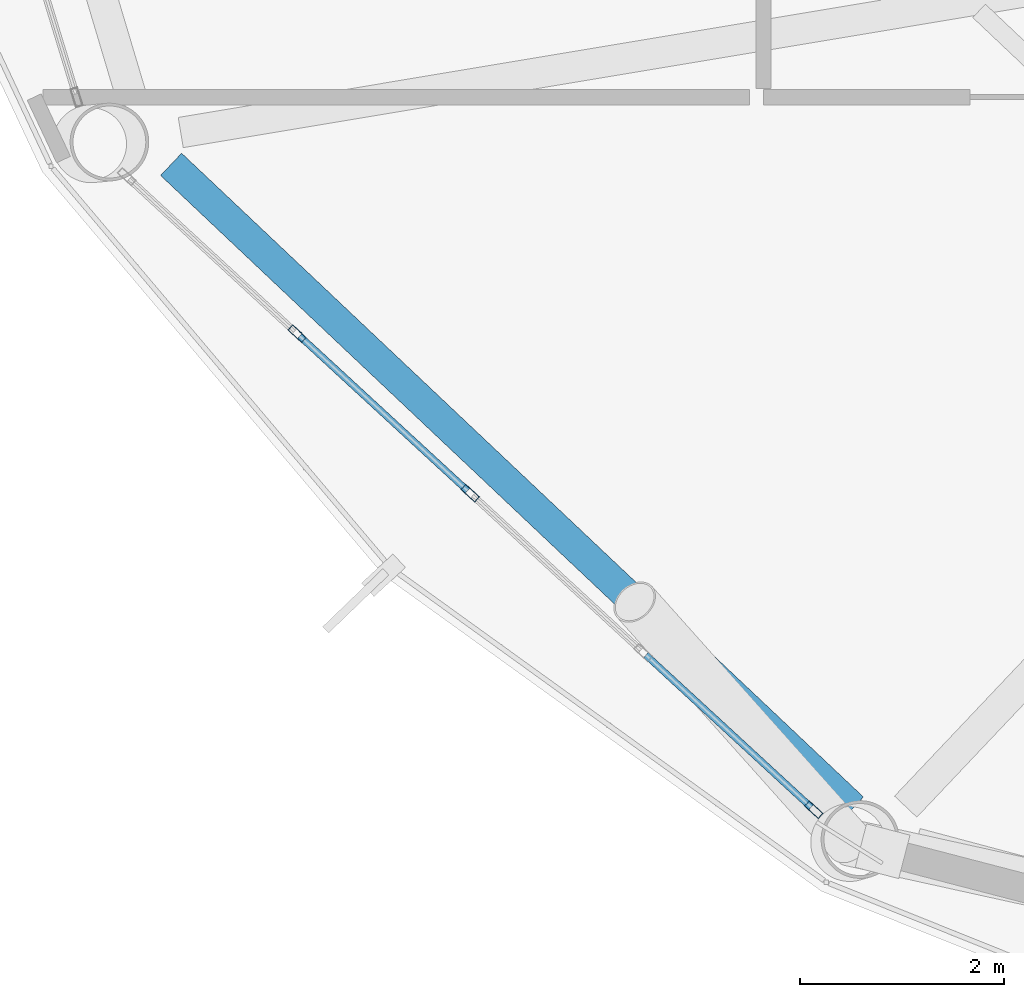
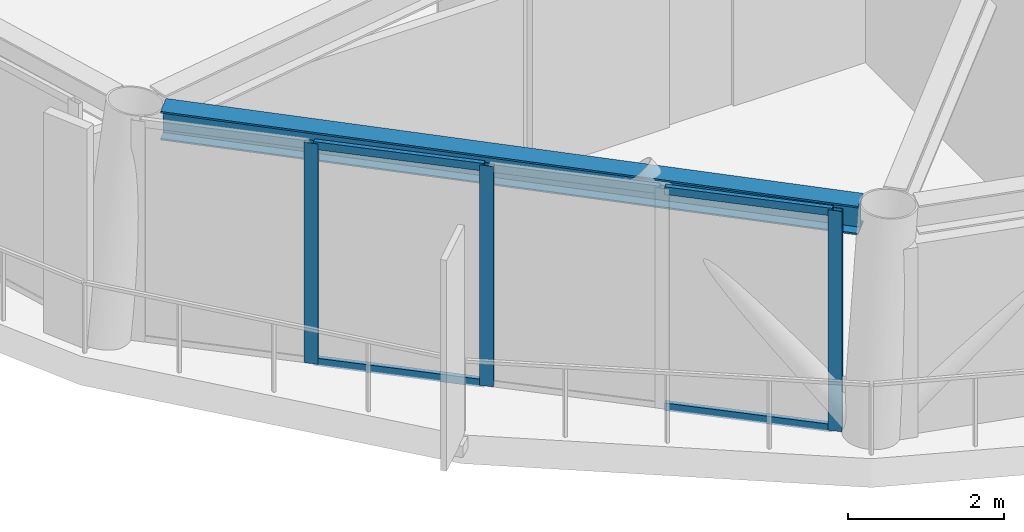
# One storey, part 2 of 26: 7 members, 1 beam, 1 element without a shape of its own.
"""IFC4 building model written with IfcOpenShell, lengths in metres."""

from ifc_helpers import new_model, si_unit, direction, frame, origin, origin_2d, place, context, subcontext, project, spatial, hollow_rectangle, i_section, extrude, material, layer, layer_set, material_profile, profile_set, type_object, element, aggregate, save


model = new_model("IFC4")

# Units and contexts
model_context = context("Model", 3, precision=1e-05, world=origin(), true_north=direction((0.0, 1.0)))
body_context = subcontext(model_context, "Body", "Model", "MODEL_VIEW")
ifc_project = project(units=[si_unit("LENGTHUNIT", "METRE"), si_unit("AREAUNIT", "SQUARE_METRE"), si_unit("VOLUMEUNIT", "CUBIC_METRE"), si_unit("PLANEANGLEUNIT", "RADIAN"), si_unit("MASSUNIT", "GRAM", prefix="KILO")], contexts=[model_context])

# Site, building, storey
site_placement = place(None, origin())
site = spatial("IfcSite", under=ifc_project, at=site_placement, CompositionType="ELEMENT")
building_placement = place(site_placement, origin())
building = spatial("IfcBuilding", under=site, at=building_placement, Name="Varnakorn Sky Granary", CompositionType="ELEMENT")
storey_placement = place(building_placement, frame((0.0, 0.0, 169.5)))
storey = spatial("IfcBuildingStorey", under=building, at=storey_placement, Name="L42", CompositionType="ELEMENT", Elevation=169.5)

# Beam
ifc_material_1 = material(Name="Steel S355JR", Category="steel")
ifc_material_profile_1 = material_profile(ifc_material_1, i_section(OverallWidth=0.300048828125, OverallDepth=0.449951171875, WebThickness=0.013916015625, FlangeThickness=0.02587890625, at=origin_2d()), Name="HE 450 B")
ifc_profile_set_1 = profile_set([ifc_material_profile_1], Name="Steel S355JR")
beam_type = type_object("IfcBeamType", Name="BM-SPD-Z3", PredefinedType="SPANDREL", material=ifc_profile_set_1)
beam_placement = place(storey_placement, frame((-18.3076171875, -9.558837890625, 3.22509765625), z_axis=(0.727105947404, -0.686525266287, 0.0), x_axis=(0.686525266287, 0.727105947404, 0.0)))
element("IfcBeam", 1, at=beam_placement, inside=storey, type_object=beam_type, Name="Perimeter Spandrel Ring Beam RB08 L42", PredefinedType="SPANDREL", context=body_context, shape_type="SweptSolid", body=[
    extrude(i_section(OverallWidth=0.300048828125, OverallDepth=0.449951171875, WebThickness=0.013916015625, FlangeThickness=0.02587890625, at=origin_2d()), origin(), (0.0, 0.0, 1.0), 9.192626953125),
])

# Curtain wall, members
ifc_material_2 = material(Name="Anodised Bronze Aluminium Alloy 6063-T6", Category="aluminium")
ifc_layer = layer(ifc_material_2, 0.179931640625, Name="Anodised Bronze Aluminium Alloy 6063-T6")
ifc_layer_set = layer_set([ifc_layer], Name="Anodised Bronze Aluminium Alloy 6063-T6")
curtain_wall_type = type_object("IfcCurtainWallType", Name="CW-FRM-2", PredefinedType="USERDEFINED", material=ifc_layer_set)
curtain_wall_placement = place(storey_placement, origin())
curtain_wall = element("IfcCurtainWall", 2, at=curtain_wall_placement, inside=storey, type_object=curtain_wall_type, Name="Unitised Curtain Wall CW4 CW-L42-B08", ObjectType="CURTAIN WALL", PredefinedType="USERDEFINED")
ifc_material_profile_2 = material_profile(ifc_material_2, hollow_rectangle(XDim=0.070068359375, YDim=0.18505859375, WallThickness=0.00390625, at=origin_2d()), Name="ALU MULL 70x185")
ifc_profile_set_2 = profile_set([ifc_material_profile_2], Name="Anodised Bronze Aluminium Alloy 6063-T6")
member_type_1 = type_object("IfcMemberType", Name="CW-FRM-2-MULL", PredefinedType="MULLION", material=ifc_profile_set_2)
member_1_placement = place(storey_placement, frame((-12.007568359375, -15.88525390625, 0.0), z_axis=(0.0, 0.0, 1.0), x_axis=(-0.677547955322, -0.735478598084, 0.0)))
member_1 = element("IfcMember", 3, at=member_1_placement, type_object=member_type_1, Name="CW4 mullion 1", PredefinedType="MULLION", context=body_context, shape_type="SweptSolid", body=[
    extrude(hollow_rectangle(XDim=0.070068359375, YDim=0.18505859375, WallThickness=0.00390625, at=origin_2d()), origin(), (0.0, 0.0, 1.0), 3.449951171875),
])
member_2_placement = place(storey_placement, frame((-15.37548828125, -12.78271484375, 0.0), z_axis=(0.0, 0.0, 1.0), x_axis=(-0.677547955322, -0.735478598084, 0.0)))
member_2 = element("IfcMember", 4, at=member_2_placement, type_object=member_type_1, Name="CW4 mullion 3", PredefinedType="MULLION", context=body_context, shape_type="SweptSolid", body=[
    extrude(hollow_rectangle(XDim=0.070068359375, YDim=0.18505859375, WallThickness=0.00390625, at=origin_2d()), origin(), (0.0, 0.0, 1.0), 3.449951171875),
])
member_3_placement = place(storey_placement, frame((-17.072265625, -11.219482421875, 0.0), z_axis=(0.0, 0.0, 1.0), x_axis=(-0.677547955322, -0.735478598084, 0.0)))
member_3 = element("IfcMember", 5, at=member_3_placement, type_object=member_type_1, Name="CW4 mullion 4", PredefinedType="MULLION", context=body_context, shape_type="SweptSolid", body=[
    extrude(hollow_rectangle(XDim=0.070068359375, YDim=0.18505859375, WallThickness=0.00390625, at=origin_2d()), origin(), (0.0, 0.0, 1.0), 3.449951171875),
])
ifc_material_profile_3 = material_profile(ifc_material_2, hollow_rectangle(XDim=0.06494140625, YDim=0.1201171875, WallThickness=0.00341796875, at=origin_2d()), Name="ALU TRAN 65x120")
ifc_profile_set_3 = profile_set([ifc_material_profile_3], Name="Anodised Bronze Aluminium Alloy 6063-T6")
member_type_2 = type_object("IfcMemberType", Name="CW-FRM-2-TRAN", PredefinedType="USERDEFINED", material=ifc_profile_set_3)
member_4_placement = place(storey_placement, frame((-12.033203125, -15.861572265625, 0.032470703125), z_axis=(-0.735449148752, 0.67757992119, 0.0), x_axis=(-0.67757992119, -0.735449148752, 0.0)))
member_4 = element("IfcMember", 6, at=member_4_placement, type_object=member_type_2, Name="CW4 transom 1.1", ObjectType="TRANSOM", PredefinedType="USERDEFINED", context=body_context, shape_type="SweptSolid", body=[
    extrude(hollow_rectangle(XDim=0.06494140625, YDim=0.1201171875, WallThickness=0.00341796875, at=origin_2d()), origin(), (0.0, 0.0, 1.0), 2.2021484375),
])
member_5_placement = place(storey_placement, frame((-12.033203125, -15.861572265625, 3.41748046875), z_axis=(-0.735449148752, 0.67757992119, 0.0), x_axis=(-0.67757992119, -0.735449148752, 0.0)))
member_5 = element("IfcMember", 7, at=member_5_placement, type_object=member_type_2, Name="CW4 transom 1.2", ObjectType="TRANSOM", PredefinedType="USERDEFINED", context=body_context, shape_type="SweptSolid", body=[
    extrude(hollow_rectangle(XDim=0.06494140625, YDim=0.1201171875, WallThickness=0.00341796875, at=origin_2d()), origin(), (0.0, 0.0, 1.0), 2.2021484375),
])
member_6_placement = place(storey_placement, frame((-15.401123046875, -12.7587890625, 0.032470703125), z_axis=(-0.735489285858, 0.677536353555, 0.0), x_axis=(-0.677536353555, -0.735489285858, 0.0)))
member_6 = element("IfcMember", 8, at=member_6_placement, type_object=member_type_2, Name="CW4 transom 3.1", ObjectType="TRANSOM", PredefinedType="USERDEFINED", context=body_context, shape_type="SweptSolid", body=[
    extrude(hollow_rectangle(XDim=0.06494140625, YDim=0.1201171875, WallThickness=0.00341796875, at=origin_2d()), origin(), (0.0, 0.0, 1.0), 2.237060546875),
])
member_7_placement = place(storey_placement, frame((-15.401123046875, -12.7587890625, 3.41748046875), z_axis=(-0.735489285858, 0.677536353555, 0.0), x_axis=(-0.677536353555, -0.735489285858, 0.0)))
member_7 = element("IfcMember", 9, at=member_7_placement, type_object=member_type_2, Name="CW4 transom 3.2", ObjectType="TRANSOM", PredefinedType="USERDEFINED", context=body_context, shape_type="SweptSolid", body=[
    extrude(hollow_rectangle(XDim=0.06494140625, YDim=0.1201171875, WallThickness=0.00341796875, at=origin_2d()), origin(), (0.0, 0.0, 1.0), 2.237060546875),
])
aggregate(curtain_wall, [member_1, member_2, member_3, member_4, member_5, member_6, member_7])

save(model, "model.ifc")
